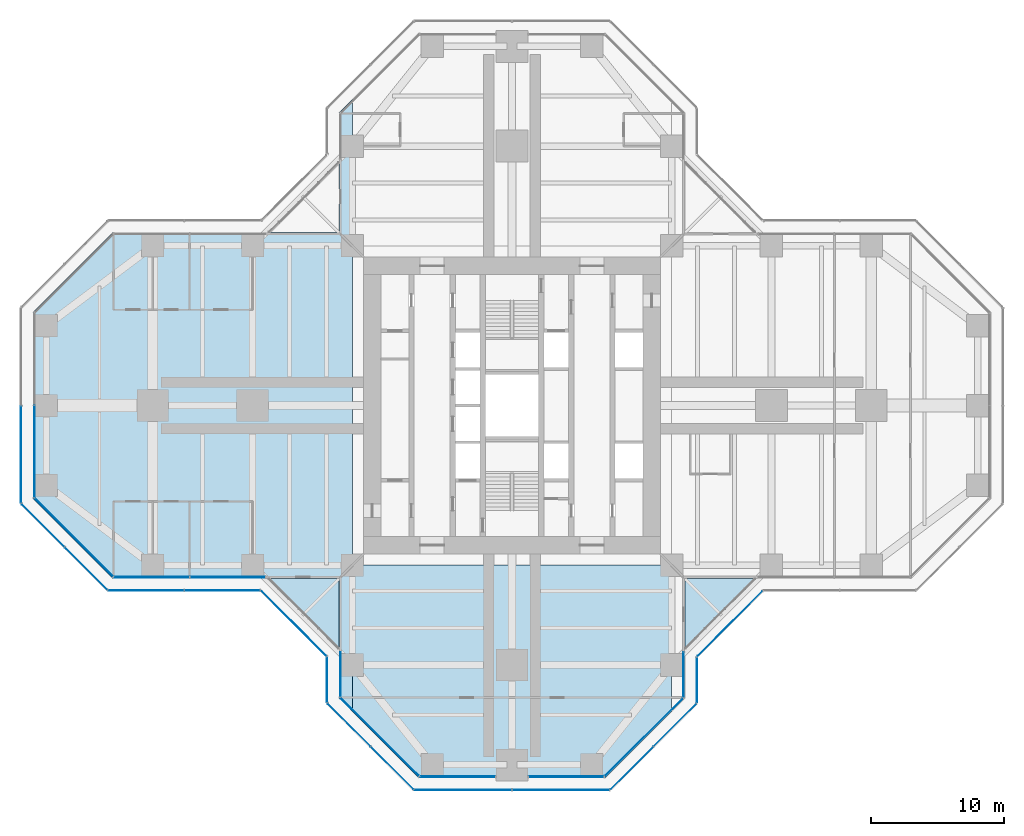
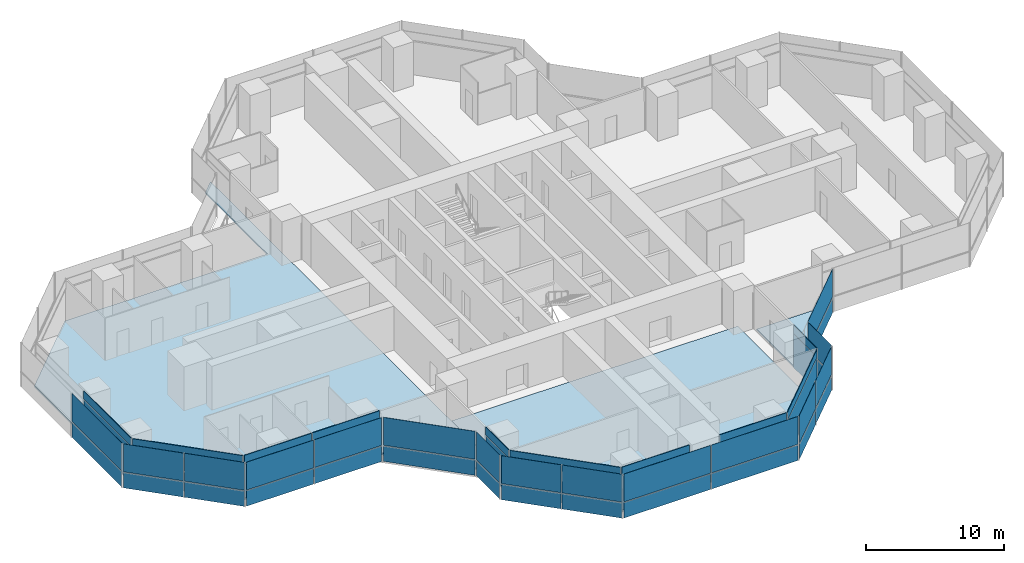
# One storey, part 12 of 20: 50 plates, 4 slabs, 19 elements without a shape of their own.
"""IFC4 building model written with IfcOpenShell, lengths in metres."""

from ifc_helpers import new_model, si_unit, direction, frame, origin, origin_2d, place, context, subcontext, project, spatial, polyline, rectangle, outline, extrude, material, layer, layer_set, type_object, element, aggregate, save


model = new_model("IFC4")

# Units and contexts
model_context = context("Model", 3, precision=1e-05, world=origin(), true_north=direction((0.0, 1.0)))
body_context = subcontext(model_context, "Body", "Model", "MODEL_VIEW")
ifc_project = project(units=[si_unit("LENGTHUNIT", "METRE"), si_unit("AREAUNIT", "SQUARE_METRE"), si_unit("VOLUMEUNIT", "CUBIC_METRE"), si_unit("PLANEANGLEUNIT", "RADIAN"), si_unit("MASSUNIT", "GRAM", prefix="KILO")], contexts=[model_context])

# Site, building, storey
site_placement = place(None, origin())
site = spatial("IfcSite", under=ifc_project, at=site_placement, CompositionType="ELEMENT")
building_placement = place(site_placement, origin())
building = spatial("IfcBuilding", under=site, at=building_placement, Name="Mizan Broadcast Tower", CompositionType="ELEMENT")
storey_placement = place(building_placement, frame((0.0, 0.0, 174.89990234375)))
storey = spatial("IfcBuildingStorey", under=building, at=storey_placement, Name="L40", CompositionType="ELEMENT", Elevation=174.89990234375)

# Slabs
ifc_material_1 = material(Name="Concrete C32/40", Category="concrete")
ifc_layer_1 = layer(ifc_material_1, 0.1298828125)
ifc_layer_set_1 = layer_set([ifc_layer_1], Name="Concrete C32/40")
slab_type_1 = type_object("IfcSlabType", Name="COMPOSITE DECK SLAB 130", PredefinedType="FLOOR", material=ifc_layer_set_1)
slab_1_placement = place(storey_placement, frame((0.0, 0.0, -0.1298828125)))
element("IfcSlab", 1, at=slab_1_placement, inside=storey, type_object=slab_type_1, Name="Floor slab L40 west arm", PredefinedType="FLOOR", context=body_context, shape_type="SweptSolid", body=[
    extrude(outline(polyline([(-13.0, -22.0), (-12.0, -23.0), (-12.0, 23.0), (-13.0, 22.0), (-13.0, 13.0), (-30.0, 13.0), (-36.0, 7.0), (-36.0, -7.0), (-30.0, -13.0), (-13.0, -13.0), (-13.0, -22.0)])), origin(), (0.0, 0.0, 1.0), 0.1298828125),
])
slab_2_placement = place(storey_placement, frame((0.0, 0.0, -0.1298828125)))
element("IfcSlab", 2, at=slab_2_placement, inside=storey, type_object=slab_type_1, Name="Floor slab L40 south arm", PredefinedType="FLOOR", context=body_context, shape_type="SweptSolid", body=[
    extrude(outline(polyline([(7.0, -28.0), (12.0, -23.0), (12.0, -12.0), (-12.0, -12.0), (-12.0, -23.0), (-7.0, -28.0), (7.0, -28.0)])), origin(), (0.0, 0.0, 1.0), 0.1298828125),
])

# Curtain wall, plate
ifc_material_2 = material(Name="Aluminium framed glazing", Category="aluminium")
curtain_wall_type_1 = type_object("IfcCurtainWallType", Name="INNER SKIN MID ZONE", PredefinedType="USERDEFINED", material=ifc_material_2)
curtain_wall_1_placement = place(storey_placement, origin())
curtain_wall_1 = element("IfcCurtainWall", 3, at=curtain_wall_1_placement, inside=storey, type_object=curtain_wall_type_1, Name="Inner skin mid zone L40 W end", ObjectType="INNER SKIN MID ZONE", PredefinedType="USERDEFINED")
ifc_material_3 = material(Name="Double glazing, clear low-e", Category="glass")
ifc_layer_2 = layer(ifc_material_3, 0.028076171875)
ifc_layer_set_2 = layer_set([ifc_layer_2], Name="Double glazing, clear low-e")
plate_type_1 = type_object("IfcPlateType", Name="INNER SKIN GLAZING UNIT", PredefinedType="CURTAIN_PANEL", material=ifc_layer_set_2)
plate_1_placement = place(storey_placement, frame((-35.89990234375, -3.46435546875, 0.0), z_axis=(0.0, 0.0, 1.0), x_axis=(0.0, -1.0, 0.0)))
plate_1 = element("IfcPlate", 4, at=plate_1_placement, type_object=plate_type_1, Name="Inner skin mid zone L40 W end panel 2.1", PredefinedType="CURTAIN_PANEL", context=body_context, shape_type="SweptSolid", body=[
    extrude(rectangle(XDim=6.86865234375, YDim=0.028076171875, at=origin_2d()), origin(), (0.0, 0.0, 1.0), 3.0),
])

curtain_wall_2_placement = place(storey_placement, origin())
curtain_wall_2 = element("IfcCurtainWall", 5, at=curtain_wall_2_placement, inside=storey, type_object=curtain_wall_type_1, Name="Inner skin mid zone L40 W chamfer", ObjectType="INNER SKIN MID ZONE", PredefinedType="USERDEFINED")
plate_2_placement = place(storey_placement, frame((-32.92919921875, -9.92919921875, 0.0), z_axis=(0.0, 0.0, 1.0), x_axis=(0.707106781187, -0.707106781187, 0.0)))
plate_2 = element("IfcPlate", 6, at=plate_2_placement, type_object=plate_type_1, Name="Inner skin mid zone L40 W chamfer panel 1.1", PredefinedType="CURTAIN_PANEL", context=body_context, shape_type="SweptSolid", body=[
    extrude(rectangle(XDim=8.282470703125, YDim=0.028076171875, at=origin_2d()), origin(), (0.0, 0.0, 1.0), 3.0),
])

# Curtain wall, plates
curtain_wall_3_placement = place(storey_placement, origin())
curtain_wall_3 = element("IfcCurtainWall", 7, at=curtain_wall_3_placement, inside=storey, type_object=curtain_wall_type_1, Name="Inner skin mid zone L40 W side", ObjectType="INNER SKIN MID ZONE", PredefinedType="USERDEFINED")
plate_3_placement = place(storey_placement, frame((-27.078857421875, -12.89990234375, 0.0), z_axis=(0.0, 0.0, 1.0), x_axis=(1.0, 0.0, 0.0)))
plate_3 = element("IfcPlate", 8, at=plate_3_placement, type_object=plate_type_1, Name="Inner skin mid zone L40 W side panel 1.1", PredefinedType="CURTAIN_PANEL", context=body_context, shape_type="SweptSolid", body=[
    extrude(rectangle(XDim=5.639404296875, YDim=0.028076171875, at=origin_2d()), origin(), (0.0, 0.0, 1.0), 3.0),
])
plate_4_placement = place(storey_placement, frame((-21.379638671875, -12.89990234375, 0.0), z_axis=(0.0, 0.0, 1.0), x_axis=(1.0, 0.0, 0.0)))
plate_4 = element("IfcPlate", 9, at=plate_4_placement, type_object=plate_type_1, Name="Inner skin mid zone L40 W side panel 2.1", PredefinedType="CURTAIN_PANEL", context=body_context, shape_type="SweptSolid", body=[
    extrude(rectangle(XDim=5.639404296875, YDim=0.028076171875, at=origin_2d()), origin(), (0.0, 0.0, 1.0), 3.0),
])

# Curtain wall, plate
curtain_wall_4_placement = place(storey_placement, origin())
curtain_wall_4 = element("IfcCurtainWall", 10, at=curtain_wall_4_placement, inside=storey, type_object=curtain_wall_type_1, Name="Inner skin mid zone L40 S side", ObjectType="INNER SKIN MID ZONE", PredefinedType="USERDEFINED")
plate_5_placement = place(storey_placement, frame((-12.89990234375, -20.229248046875, 0.0), z_axis=(0.0, 0.0, 1.0), x_axis=(0.0, -1.0, 0.0)))
plate_5 = element("IfcPlate", 11, at=plate_5_placement, type_object=plate_type_1, Name="Inner skin mid zone L40 S side panel 1.1", PredefinedType="CURTAIN_PANEL", context=body_context, shape_type="SweptSolid", body=[
    extrude(rectangle(XDim=3.338623046875, YDim=0.028076171875, at=origin_2d()), origin(), (0.0, 0.0, 1.0), 3.0),
])

curtain_wall_5_placement = place(storey_placement, origin())
curtain_wall_5 = element("IfcCurtainWall", 12, at=curtain_wall_5_placement, inside=storey, type_object=curtain_wall_type_1, Name="Inner skin mid zone L40 S chamfer", ObjectType="INNER SKIN MID ZONE", PredefinedType="USERDEFINED")
plate_6_placement = place(storey_placement, frame((-9.92919921875, -24.92919921875, 0.0), z_axis=(0.0, 0.0, 1.0), x_axis=(0.707106781187, -0.707106781187, 0.0)))
plate_6 = element("IfcPlate", 13, at=plate_6_placement, type_object=plate_type_1, Name="Inner skin mid zone L40 S chamfer panel 1.1", PredefinedType="CURTAIN_PANEL", context=body_context, shape_type="SweptSolid", body=[
    extrude(rectangle(XDim=8.282470703125, YDim=0.028076171875, at=origin_2d()), origin(), (0.0, 0.0, 1.0), 3.0),
])

curtain_wall_6_placement = place(storey_placement, origin())
curtain_wall_6 = element("IfcCurtainWall", 14, at=curtain_wall_6_placement, inside=storey, type_object=curtain_wall_type_1, Name="Inner skin mid zone L40 S end", ObjectType="INNER SKIN MID ZONE", PredefinedType="USERDEFINED")
plate_7_placement = place(storey_placement, frame((-4.079345703125, -27.89990234375, 0.0), z_axis=(0.0, 0.0, 1.0), x_axis=(1.0, 0.0, 0.0)))
plate_7 = element("IfcPlate", 15, at=plate_7_placement, type_object=plate_type_1, Name="Inner skin mid zone L40 S end panel 1.1", PredefinedType="CURTAIN_PANEL", context=body_context, shape_type="SweptSolid", body=[
    extrude(rectangle(XDim=5.638671875, YDim=0.028076171875, at=origin_2d()), origin(), (0.0, 0.0, 1.0), 3.0),
])

curtain_wall_7_placement = place(storey_placement, origin())
curtain_wall_7 = element("IfcCurtainWall", 16, at=curtain_wall_7_placement, inside=storey, type_object=curtain_wall_type_1, Name="Inner skin mid zone L40 S end", ObjectType="INNER SKIN MID ZONE", PredefinedType="USERDEFINED")
plate_8_placement = place(storey_placement, frame((4.079345703125, -27.89990234375, 0.0), z_axis=(0.0, 0.0, 1.0), x_axis=(1.0, 0.0, 0.0)))
plate_8 = element("IfcPlate", 17, at=plate_8_placement, type_object=plate_type_1, Name="Inner skin mid zone L40 S end panel 1.1", PredefinedType="CURTAIN_PANEL", context=body_context, shape_type="SweptSolid", body=[
    extrude(rectangle(XDim=5.638671875, YDim=0.028076171875, at=origin_2d()), origin(), (0.0, 0.0, 1.0), 3.0),
])

curtain_wall_8_placement = place(storey_placement, origin())
curtain_wall_8 = element("IfcCurtainWall", 18, at=curtain_wall_8_placement, inside=storey, type_object=curtain_wall_type_1, Name="Inner skin mid zone L40 S chamfer", ObjectType="INNER SKIN MID ZONE", PredefinedType="USERDEFINED")
plate_9_placement = place(storey_placement, frame((9.92919921875, -24.92919921875, 0.0), z_axis=(0.0, 0.0, 1.0), x_axis=(0.707106781187, 0.707106781187, 0.0)))
plate_9 = element("IfcPlate", 19, at=plate_9_placement, type_object=plate_type_1, Name="Inner skin mid zone L40 S chamfer panel 1.1", PredefinedType="CURTAIN_PANEL", context=body_context, shape_type="SweptSolid", body=[
    extrude(rectangle(XDim=8.282470703125, YDim=0.028076171875, at=origin_2d()), origin(), (0.0, 0.0, 1.0), 3.0),
])

curtain_wall_9_placement = place(storey_placement, origin())
curtain_wall_9 = element("IfcCurtainWall", 20, at=curtain_wall_9_placement, inside=storey, type_object=curtain_wall_type_1, Name="Inner skin mid zone L40 S side", ObjectType="INNER SKIN MID ZONE", PredefinedType="USERDEFINED")
plate_10_placement = place(storey_placement, frame((12.89990234375, -20.229248046875, 0.0), z_axis=(0.0, 0.0, 1.0), x_axis=(0.0, 1.0, 0.0)))
plate_10 = element("IfcPlate", 21, at=plate_10_placement, type_object=plate_type_1, Name="Inner skin mid zone L40 S side panel 1.1", PredefinedType="CURTAIN_PANEL", context=body_context, shape_type="SweptSolid", body=[
    extrude(rectangle(XDim=3.338623046875, YDim=0.028076171875, at=origin_2d()), origin(), (0.0, 0.0, 1.0), 3.0),
])

# Plate
ifc_material_4 = material(Name="Insulated aluminium spandrel panel, pale anodised", Category="aluminium")
ifc_layer_3 = layer(ifc_material_4, 0.050048828125)
ifc_layer_set_3 = layer_set([ifc_layer_3], Name="Insulated aluminium spandrel panel, pale anodised")
plate_type_2 = type_object("IfcPlateType", Name="INNER SKIN SPANDREL PANEL", PredefinedType="CURTAIN_PANEL", material=ifc_layer_set_3)
plate_11_placement = place(storey_placement, frame((-35.89990234375, -3.46435546875, 3.06005859375), z_axis=(0.0, 0.0, 1.0), x_axis=(0.0, -1.0, 0.0)))
plate_11 = element("IfcPlate", 22, at=plate_11_placement, type_object=plate_type_2, Name="Inner skin mid zone L40 W end panel 2.2", PredefinedType="CURTAIN_PANEL", context=body_context, shape_type="SweptSolid", body=[
    extrude(rectangle(XDim=6.86865234375, YDim=0.050048828125, at=origin_2d()), origin(), (0.0, 0.0, 1.0), 0.7099609375),
])

aggregate(curtain_wall_1, [plate_1, plate_11])

plate_12_placement = place(storey_placement, frame((-32.92919921875, -9.92919921875, 3.06005859375), z_axis=(0.0, 0.0, 1.0), x_axis=(0.707106781187, -0.707106781187, 0.0)))
plate_12 = element("IfcPlate", 23, at=plate_12_placement, type_object=plate_type_2, Name="Inner skin mid zone L40 W chamfer panel 1.2", PredefinedType="CURTAIN_PANEL", context=body_context, shape_type="SweptSolid", body=[
    extrude(rectangle(XDim=8.282470703125, YDim=0.050048828125, at=origin_2d()), origin(), (0.0, 0.0, 1.0), 0.7099609375),
])

aggregate(curtain_wall_2, [plate_2, plate_12])

plate_13_placement = place(storey_placement, frame((-27.078857421875, -12.89990234375, 3.06005859375), z_axis=(0.0, 0.0, 1.0), x_axis=(1.0, 0.0, 0.0)))
plate_13 = element("IfcPlate", 24, at=plate_13_placement, type_object=plate_type_2, Name="Inner skin mid zone L40 W side panel 1.2", PredefinedType="CURTAIN_PANEL", context=body_context, shape_type="SweptSolid", body=[
    extrude(rectangle(XDim=5.639404296875, YDim=0.050048828125, at=origin_2d()), origin(), (0.0, 0.0, 1.0), 0.7099609375),
])

plate_14_placement = place(storey_placement, frame((-21.379638671875, -12.89990234375, 3.06005859375), z_axis=(0.0, 0.0, 1.0), x_axis=(1.0, 0.0, 0.0)))
plate_14 = element("IfcPlate", 25, at=plate_14_placement, type_object=plate_type_2, Name="Inner skin mid zone L40 W side panel 2.2", PredefinedType="CURTAIN_PANEL", context=body_context, shape_type="SweptSolid", body=[
    extrude(rectangle(XDim=5.639404296875, YDim=0.050048828125, at=origin_2d()), origin(), (0.0, 0.0, 1.0), 0.7099609375),
])

aggregate(curtain_wall_3, [plate_3, plate_13, plate_4, plate_14])

plate_15_placement = place(storey_placement, frame((-12.89990234375, -20.229248046875, 3.06005859375), z_axis=(0.0, 0.0, 1.0), x_axis=(0.0, -1.0, 0.0)))
plate_15 = element("IfcPlate", 26, at=plate_15_placement, type_object=plate_type_2, Name="Inner skin mid zone L40 S side panel 1.2", PredefinedType="CURTAIN_PANEL", context=body_context, shape_type="SweptSolid", body=[
    extrude(rectangle(XDim=3.338623046875, YDim=0.050048828125, at=origin_2d()), origin(), (0.0, 0.0, 1.0), 0.7099609375),
])

aggregate(curtain_wall_4, [plate_5, plate_15])

plate_16_placement = place(storey_placement, frame((-9.92919921875, -24.92919921875, 3.06005859375), z_axis=(0.0, 0.0, 1.0), x_axis=(0.707106781187, -0.707106781187, 0.0)))
plate_16 = element("IfcPlate", 27, at=plate_16_placement, type_object=plate_type_2, Name="Inner skin mid zone L40 S chamfer panel 1.2", PredefinedType="CURTAIN_PANEL", context=body_context, shape_type="SweptSolid", body=[
    extrude(rectangle(XDim=8.282470703125, YDim=0.050048828125, at=origin_2d()), origin(), (0.0, 0.0, 1.0), 0.7099609375),
])

aggregate(curtain_wall_5, [plate_6, plate_16])

plate_17_placement = place(storey_placement, frame((-4.079345703125, -27.89990234375, 3.06005859375), z_axis=(0.0, 0.0, 1.0), x_axis=(1.0, 0.0, 0.0)))
plate_17 = element("IfcPlate", 28, at=plate_17_placement, type_object=plate_type_2, Name="Inner skin mid zone L40 S end panel 1.2", PredefinedType="CURTAIN_PANEL", context=body_context, shape_type="SweptSolid", body=[
    extrude(rectangle(XDim=5.638671875, YDim=0.050048828125, at=origin_2d()), origin(), (0.0, 0.0, 1.0), 0.7099609375),
])

aggregate(curtain_wall_6, [plate_7, plate_17])

plate_18_placement = place(storey_placement, frame((4.079345703125, -27.89990234375, 3.06005859375), z_axis=(0.0, 0.0, 1.0), x_axis=(1.0, 0.0, 0.0)))
plate_18 = element("IfcPlate", 29, at=plate_18_placement, type_object=plate_type_2, Name="Inner skin mid zone L40 S end panel 1.2", PredefinedType="CURTAIN_PANEL", context=body_context, shape_type="SweptSolid", body=[
    extrude(rectangle(XDim=5.638671875, YDim=0.050048828125, at=origin_2d()), origin(), (0.0, 0.0, 1.0), 0.7099609375),
])

aggregate(curtain_wall_7, [plate_8, plate_18])

plate_19_placement = place(storey_placement, frame((9.92919921875, -24.92919921875, 3.06005859375), z_axis=(0.0, 0.0, 1.0), x_axis=(0.707106781187, 0.707106781187, 0.0)))
plate_19 = element("IfcPlate", 30, at=plate_19_placement, type_object=plate_type_2, Name="Inner skin mid zone L40 S chamfer panel 1.2", PredefinedType="CURTAIN_PANEL", context=body_context, shape_type="SweptSolid", body=[
    extrude(rectangle(XDim=8.282470703125, YDim=0.050048828125, at=origin_2d()), origin(), (0.0, 0.0, 1.0), 0.7099609375),
])

aggregate(curtain_wall_8, [plate_9, plate_19])

plate_20_placement = place(storey_placement, frame((12.89990234375, -20.229248046875, 3.06005859375), z_axis=(0.0, 0.0, 1.0), x_axis=(0.0, 1.0, 0.0)))
plate_20 = element("IfcPlate", 31, at=plate_20_placement, type_object=plate_type_2, Name="Inner skin mid zone L40 S side panel 1.2", PredefinedType="CURTAIN_PANEL", context=body_context, shape_type="SweptSolid", body=[
    extrude(rectangle(XDim=3.338623046875, YDim=0.050048828125, at=origin_2d()), origin(), (0.0, 0.0, 1.0), 0.7099609375),
])

aggregate(curtain_wall_9, [plate_10, plate_20])

# Curtain wall, plates
ifc_material_5 = material(Name="Aluminium framed glazing", Category="aluminium")
curtain_wall_type_2 = type_object("IfcCurtainWallType", Name="OUTER SKIN", PredefinedType="USERDEFINED", material=ifc_material_5)
curtain_wall_10_placement = place(storey_placement, origin())
curtain_wall_10 = element("IfcCurtainWall", 32, at=curtain_wall_10_placement, inside=storey, type_object=curtain_wall_type_2, Name="Outer skin L40 W chamfer", ObjectType="OUTER SKIN", PredefinedType="USERDEFINED")
ifc_material_6 = material(Name="Laminated clear glass", Category="glass")
ifc_layer_4 = layer(ifc_material_6, 0.02001953125)
ifc_layer_set_4 = layer_set([ifc_layer_4], Name="Laminated clear glass")
plate_type_3 = type_object("IfcPlateType", Name="OUTER SKIN CLEAR GLASS", PredefinedType="CURTAIN_PANEL", material=ifc_layer_set_4)
plate_21_placement = place(storey_placement, frame((-35.254150390625, -9.018798828125, 0.0), z_axis=(0.0, 0.0, 1.0), x_axis=(0.707106781187, -0.707106781187, 0.0)))
plate_21 = element("IfcPlate", 33, at=plate_21_placement, type_object=plate_type_3, Name="Outer skin L40 W chamfer panel 1.1", PredefinedType="CURTAIN_PANEL", context=body_context, shape_type="SweptSolid", body=[
    extrude(rectangle(XDim=4.495361328125, YDim=0.02001953125, at=origin_2d()), origin(), (0.0, 0.0, 1.0), 1.3701171875),
])
plate_22_placement = place(storey_placement, frame((-35.254150390625, -9.018798828125, 1.43017578125), z_axis=(0.0, 0.0, 1.0), x_axis=(0.707106781187, -0.707106781187, 0.0)))
plate_22 = element("IfcPlate", 34, at=plate_22_placement, type_object=plate_type_3, Name="Outer skin L40 W chamfer panel 1.2", PredefinedType="CURTAIN_PANEL", context=body_context, shape_type="SweptSolid", body=[
    extrude(rectangle(XDim=4.495361328125, YDim=0.02001953125, at=origin_2d()), origin(), (0.0, 0.0, 1.0), 2.469970703125),
])

curtain_wall_11_placement = place(storey_placement, origin())
curtain_wall_11 = element("IfcCurtainWall", 35, at=curtain_wall_11_placement, inside=storey, type_object=curtain_wall_type_2, Name="Outer skin L40 W side", ObjectType="OUTER SKIN", PredefinedType="USERDEFINED")
plate_23_placement = place(storey_placement, frame((-27.477783203125, -13.89990234375, 0.0), z_axis=(0.0, 0.0, 1.0), x_axis=(1.0, 0.0, 0.0)))
plate_23 = element("IfcPlate", 36, at=plate_23_placement, type_object=plate_type_3, Name="Outer skin L40 W side panel 1.1", PredefinedType="CURTAIN_PANEL", context=body_context, shape_type="SweptSolid", body=[
    extrude(rectangle(XDim=5.6298828125, YDim=0.02001953125, at=origin_2d()), origin(), (0.0, 0.0, 1.0), 1.3701171875),
])
plate_24_placement = place(storey_placement, frame((-27.477783203125, -13.89990234375, 1.43017578125), z_axis=(0.0, 0.0, 1.0), x_axis=(1.0, 0.0, 0.0)))
plate_24 = element("IfcPlate", 37, at=plate_24_placement, type_object=plate_type_3, Name="Outer skin L40 W side panel 1.2", PredefinedType="CURTAIN_PANEL", context=body_context, shape_type="SweptSolid", body=[
    extrude(rectangle(XDim=5.6298828125, YDim=0.02001953125, at=origin_2d()), origin(), (0.0, 0.0, 1.0), 2.469970703125),
])

curtain_wall_12_placement = place(storey_placement, origin())
curtain_wall_12 = element("IfcCurtainWall", 38, at=curtain_wall_12_placement, inside=storey, type_object=curtain_wall_type_2, Name="Outer skin L40 W chamfer", ObjectType="OUTER SKIN", PredefinedType="USERDEFINED")
plate_25_placement = place(storey_placement, frame((-16.386474609375, -16.386474609375, 0.0), z_axis=(0.0, 0.0, 1.0), x_axis=(0.707106781187, -0.707106781187, 0.0)))
plate_25 = element("IfcPlate", 39, at=plate_25_placement, type_object=plate_type_3, Name="Outer skin L40 W chamfer panel 1.1", PredefinedType="CURTAIN_PANEL", context=body_context, shape_type="SweptSolid", body=[
    extrude(rectangle(XDim=6.87255859375, YDim=0.02001953125, at=origin_2d()), origin(), (0.0, 0.0, 1.0), 1.3701171875),
])
plate_26_placement = place(storey_placement, frame((-16.386474609375, -16.386474609375, 1.43017578125), z_axis=(0.0, 0.0, 1.0), x_axis=(0.707106781187, -0.707106781187, 0.0)))
plate_26 = element("IfcPlate", 40, at=plate_26_placement, type_object=plate_type_3, Name="Outer skin L40 W chamfer panel 1.2", PredefinedType="CURTAIN_PANEL", context=body_context, shape_type="SweptSolid", body=[
    extrude(rectangle(XDim=6.87255859375, YDim=0.02001953125, at=origin_2d()), origin(), (0.0, 0.0, 1.0), 2.469970703125),
])
aggregate(curtain_wall_12, [plate_25, plate_26])

curtain_wall_13_placement = place(storey_placement, origin())
curtain_wall_13 = element("IfcCurtainWall", 41, at=curtain_wall_13_placement, inside=storey, type_object=curtain_wall_type_2, Name="Outer skin L40 S side", ObjectType="OUTER SKIN", PredefinedType="USERDEFINED")
plate_27_placement = place(storey_placement, frame((-13.89990234375, -20.622802734375, 0.0), z_axis=(0.0, 0.0, 1.0), x_axis=(0.0, -1.0, 0.0)))
plate_27 = element("IfcPlate", 42, at=plate_27_placement, type_object=plate_type_3, Name="Outer skin L40 S side panel 1.1", PredefinedType="CURTAIN_PANEL", context=body_context, shape_type="SweptSolid", body=[
    extrude(rectangle(XDim=3.340087890625, YDim=0.02001953125, at=origin_2d()), origin(), (0.0, 0.0, 1.0), 1.3701171875),
])
plate_28_placement = place(storey_placement, frame((-13.89990234375, -20.622802734375, 1.43017578125), z_axis=(0.0, 0.0, 1.0), x_axis=(0.0, -1.0, 0.0)))
plate_28 = element("IfcPlate", 43, at=plate_28_placement, type_object=plate_type_3, Name="Outer skin L40 S side panel 1.2", PredefinedType="CURTAIN_PANEL", context=body_context, shape_type="SweptSolid", body=[
    extrude(rectangle(XDim=3.340087890625, YDim=0.02001953125, at=origin_2d()), origin(), (0.0, 0.0, 1.0), 2.469970703125),
])
aggregate(curtain_wall_13, [plate_27, plate_28])

curtain_wall_14_placement = place(storey_placement, origin())
curtain_wall_14 = element("IfcCurtainWall", 44, at=curtain_wall_14_placement, inside=storey, type_object=curtain_wall_type_2, Name="Outer skin L40 S chamfer", ObjectType="OUTER SKIN", PredefinedType="USERDEFINED")
plate_29_placement = place(storey_placement, frame((-12.254150390625, -24.018798828125, 0.0), z_axis=(0.0, 0.0, 1.0), x_axis=(0.707106781187, -0.707106781187, 0.0)))
plate_29 = element("IfcPlate", 45, at=plate_29_placement, type_object=plate_type_3, Name="Outer skin L40 S chamfer panel 1.1", PredefinedType="CURTAIN_PANEL", context=body_context, shape_type="SweptSolid", body=[
    extrude(rectangle(XDim=4.495361328125, YDim=0.02001953125, at=origin_2d()), origin(), (0.0, 0.0, 1.0), 1.3701171875),
])
plate_30_placement = place(storey_placement, frame((-12.254150390625, -24.018798828125, 1.43017578125), z_axis=(0.0, 0.0, 1.0), x_axis=(0.707106781187, -0.707106781187, 0.0)))
plate_30 = element("IfcPlate", 46, at=plate_30_placement, type_object=plate_type_3, Name="Outer skin L40 S chamfer panel 1.2", PredefinedType="CURTAIN_PANEL", context=body_context, shape_type="SweptSolid", body=[
    extrude(rectangle(XDim=4.495361328125, YDim=0.02001953125, at=origin_2d()), origin(), (0.0, 0.0, 1.0), 2.469970703125),
])

curtain_wall_15_placement = place(storey_placement, origin())
curtain_wall_15 = element("IfcCurtainWall", 47, at=curtain_wall_15_placement, inside=storey, type_object=curtain_wall_type_2, Name="Outer skin L40 S end", ObjectType="OUTER SKIN", PredefinedType="USERDEFINED")
plate_31_placement = place(storey_placement, frame((-3.66650390625, -28.89990234375, 0.0), z_axis=(0.0, 0.0, 1.0), x_axis=(1.0, 0.0, 0.0)))
plate_31 = element("IfcPlate", 48, at=plate_31_placement, type_object=plate_type_3, Name="Outer skin L40 S end panel 1.1", PredefinedType="CURTAIN_PANEL", context=body_context, shape_type="SweptSolid", body=[
    extrude(rectangle(XDim=7.252685546875, YDim=0.02001953125, at=origin_2d()), origin(), (0.0, 0.0, 1.0), 1.3701171875),
])
plate_32_placement = place(storey_placement, frame((-3.66650390625, -28.89990234375, 1.43017578125), z_axis=(0.0, 0.0, 1.0), x_axis=(1.0, 0.0, 0.0)))
plate_32 = element("IfcPlate", 49, at=plate_32_placement, type_object=plate_type_3, Name="Outer skin L40 S end panel 1.2", PredefinedType="CURTAIN_PANEL", context=body_context, shape_type="SweptSolid", body=[
    extrude(rectangle(XDim=7.252685546875, YDim=0.02001953125, at=origin_2d()), origin(), (0.0, 0.0, 1.0), 2.469970703125),
])

curtain_wall_16_placement = place(storey_placement, origin())
curtain_wall_16 = element("IfcCurtainWall", 50, at=curtain_wall_16_placement, inside=storey, type_object=curtain_wall_type_2, Name="Outer skin L40 S chamfer", ObjectType="OUTER SKIN", PredefinedType="USERDEFINED")
plate_33_placement = place(storey_placement, frame((9.018798828125, -27.254150390625, 0.0), z_axis=(0.0, 0.0, 1.0), x_axis=(0.707106781187, 0.707106781187, 0.0)))
plate_33 = element("IfcPlate", 51, at=plate_33_placement, type_object=plate_type_3, Name="Outer skin L40 S chamfer panel 1.1", PredefinedType="CURTAIN_PANEL", context=body_context, shape_type="SweptSolid", body=[
    extrude(rectangle(XDim=4.495361328125, YDim=0.02001953125, at=origin_2d()), origin(), (0.0, 0.0, 1.0), 1.3701171875),
])
plate_34_placement = place(storey_placement, frame((9.018798828125, -27.254150390625, 1.43017578125), z_axis=(0.0, 0.0, 1.0), x_axis=(0.707106781187, 0.707106781187, 0.0)))
plate_34 = element("IfcPlate", 52, at=plate_34_placement, type_object=plate_type_3, Name="Outer skin L40 S chamfer panel 1.2", PredefinedType="CURTAIN_PANEL", context=body_context, shape_type="SweptSolid", body=[
    extrude(rectangle(XDim=4.495361328125, YDim=0.02001953125, at=origin_2d()), origin(), (0.0, 0.0, 1.0), 2.469970703125),
])

curtain_wall_17_placement = place(storey_placement, origin())
curtain_wall_17 = element("IfcCurtainWall", 53, at=curtain_wall_17_placement, inside=storey, type_object=curtain_wall_type_2, Name="Outer skin L40 S side", ObjectType="OUTER SKIN", PredefinedType="USERDEFINED")
plate_35_placement = place(storey_placement, frame((13.89990234375, -20.622802734375, 0.0), z_axis=(0.0, 0.0, 1.0), x_axis=(0.0, 1.0, 0.0)))
plate_35 = element("IfcPlate", 54, at=plate_35_placement, type_object=plate_type_3, Name="Outer skin L40 S side panel 1.1", PredefinedType="CURTAIN_PANEL", context=body_context, shape_type="SweptSolid", body=[
    extrude(rectangle(XDim=3.340087890625, YDim=0.02001953125, at=origin_2d()), origin(), (0.0, 0.0, 1.0), 1.3701171875),
])
plate_36_placement = place(storey_placement, frame((13.89990234375, -20.622802734375, 1.43017578125), z_axis=(0.0, 0.0, 1.0), x_axis=(0.0, 1.0, 0.0)))
plate_36 = element("IfcPlate", 55, at=plate_36_placement, type_object=plate_type_3, Name="Outer skin L40 S side panel 1.2", PredefinedType="CURTAIN_PANEL", context=body_context, shape_type="SweptSolid", body=[
    extrude(rectangle(XDim=3.340087890625, YDim=0.02001953125, at=origin_2d()), origin(), (0.0, 0.0, 1.0), 2.469970703125),
])
aggregate(curtain_wall_17, [plate_35, plate_36])

curtain_wall_18_placement = place(storey_placement, origin())
curtain_wall_18 = element("IfcCurtainWall", 56, at=curtain_wall_18_placement, inside=storey, type_object=curtain_wall_type_2, Name="Outer skin L40 E chamfer", ObjectType="OUTER SKIN", PredefinedType="USERDEFINED")
plate_37_placement = place(storey_placement, frame((16.386474609375, -16.386474609375, 0.0), z_axis=(0.0, 0.0, 1.0), x_axis=(0.707106781187, 0.707106781187, 0.0)))
plate_37 = element("IfcPlate", 57, at=plate_37_placement, type_object=plate_type_3, Name="Outer skin L40 E chamfer panel 1.1", PredefinedType="CURTAIN_PANEL", context=body_context, shape_type="SweptSolid", body=[
    extrude(rectangle(XDim=6.87255859375, YDim=0.02001953125, at=origin_2d()), origin(), (0.0, 0.0, 1.0), 1.3701171875),
])
plate_38_placement = place(storey_placement, frame((16.386474609375, -16.386474609375, 1.43017578125), z_axis=(0.0, 0.0, 1.0), x_axis=(0.707106781187, 0.707106781187, 0.0)))
plate_38 = element("IfcPlate", 58, at=plate_38_placement, type_object=plate_type_3, Name="Outer skin L40 E chamfer panel 1.2", PredefinedType="CURTAIN_PANEL", context=body_context, shape_type="SweptSolid", body=[
    extrude(rectangle(XDim=6.87255859375, YDim=0.02001953125, at=origin_2d()), origin(), (0.0, 0.0, 1.0), 2.469970703125),
])
aggregate(curtain_wall_18, [plate_37, plate_38])

curtain_wall_19_placement = place(storey_placement, origin())
curtain_wall_19 = element("IfcCurtainWall", 59, at=curtain_wall_19_placement, inside=storey, type_object=curtain_wall_type_2, Name="Outer skin L40 W end", ObjectType="OUTER SKIN", PredefinedType="USERDEFINED")
ifc_material_7 = material(Name="Perforated aluminium, pale anodised", Category="aluminium")
ifc_layer_5 = layer(ifc_material_7, 0.011962890625)
ifc_layer_set_5 = layer_set([ifc_layer_5], Name="Perforated aluminium, pale anodised")
plate_type_4 = type_object("IfcPlateType", Name="OUTER SKIN PERFORATED SCREEN", PredefinedType="USERDEFINED", material=ifc_layer_set_5)
plate_39_placement = place(storey_placement, frame((-36.89990234375, -3.66650390625, 0.0), z_axis=(0.0, 0.0, 1.0), x_axis=(0.0, -1.0, 0.0)))
plate_39 = element("IfcPlate", 60, at=plate_39_placement, type_object=plate_type_4, Name="Outer skin L40 W end panel 2.1", ObjectType="SCREEN", PredefinedType="USERDEFINED", context=body_context, shape_type="SweptSolid", body=[
    extrude(rectangle(XDim=7.252685546875, YDim=0.011962890625, at=origin_2d()), origin(), (0.0, 0.0, 1.0), 1.3701171875),
])
plate_40_placement = place(storey_placement, frame((-36.89990234375, -3.66650390625, 1.43017578125), z_axis=(0.0, 0.0, 1.0), x_axis=(0.0, -1.0, 0.0)))
plate_40 = element("IfcPlate", 61, at=plate_40_placement, type_object=plate_type_4, Name="Outer skin L40 W end panel 2.2", ObjectType="SCREEN", PredefinedType="USERDEFINED", context=body_context, shape_type="SweptSolid", body=[
    extrude(rectangle(XDim=7.252685546875, YDim=0.011962890625, at=origin_2d()), origin(), (0.0, 0.0, 1.0), 2.469970703125),
])
aggregate(curtain_wall_19, [plate_39, plate_40])

# Plate
plate_41_placement = place(storey_placement, frame((-32.018798828125, -12.254150390625, 0.0), z_axis=(0.0, 0.0, 1.0), x_axis=(0.707106781187, -0.707106781187, 0.0)))
plate_41 = element("IfcPlate", 62, at=plate_41_placement, type_object=plate_type_4, Name="Outer skin L40 W chamfer panel 2.1", ObjectType="SCREEN", PredefinedType="USERDEFINED", context=body_context, shape_type="SweptSolid", body=[
    extrude(rectangle(XDim=4.495361328125, YDim=0.011962890625, at=origin_2d()), origin(), (0.0, 0.0, 1.0), 1.3701171875),
])

plate_42_placement = place(storey_placement, frame((-32.018798828125, -12.254150390625, 1.43017578125), z_axis=(0.0, 0.0, 1.0), x_axis=(0.707106781187, -0.707106781187, 0.0)))
plate_42 = element("IfcPlate", 63, at=plate_42_placement, type_object=plate_type_4, Name="Outer skin L40 W chamfer panel 2.2", ObjectType="SCREEN", PredefinedType="USERDEFINED", context=body_context, shape_type="SweptSolid", body=[
    extrude(rectangle(XDim=4.495361328125, YDim=0.011962890625, at=origin_2d()), origin(), (0.0, 0.0, 1.0), 2.469970703125),
])

aggregate(curtain_wall_10, [plate_21, plate_22, plate_41, plate_42])

plate_43_placement = place(storey_placement, frame((-21.767822265625, -13.89990234375, 0.0), z_axis=(0.0, 0.0, 1.0), x_axis=(1.0, 0.0, 0.0)))
plate_43 = element("IfcPlate", 64, at=plate_43_placement, type_object=plate_type_4, Name="Outer skin L40 W side panel 2.1", ObjectType="SCREEN", PredefinedType="USERDEFINED", context=body_context, shape_type="SweptSolid", body=[
    extrude(rectangle(XDim=5.6298828125, YDim=0.011962890625, at=origin_2d()), origin(), (0.0, 0.0, 1.0), 1.3701171875),
])

plate_44_placement = place(storey_placement, frame((-21.767822265625, -13.89990234375, 1.43017578125), z_axis=(0.0, 0.0, 1.0), x_axis=(1.0, 0.0, 0.0)))
plate_44 = element("IfcPlate", 65, at=plate_44_placement, type_object=plate_type_4, Name="Outer skin L40 W side panel 2.2", ObjectType="SCREEN", PredefinedType="USERDEFINED", context=body_context, shape_type="SweptSolid", body=[
    extrude(rectangle(XDim=5.6298828125, YDim=0.011962890625, at=origin_2d()), origin(), (0.0, 0.0, 1.0), 2.469970703125),
])

aggregate(curtain_wall_11, [plate_23, plate_24, plate_43, plate_44])

plate_45_placement = place(storey_placement, frame((-9.018798828125, -27.254150390625, 0.0), z_axis=(0.0, 0.0, 1.0), x_axis=(0.707106781187, -0.707106781187, 0.0)))
plate_45 = element("IfcPlate", 66, at=plate_45_placement, type_object=plate_type_4, Name="Outer skin L40 S chamfer panel 2.1", ObjectType="SCREEN", PredefinedType="USERDEFINED", context=body_context, shape_type="SweptSolid", body=[
    extrude(rectangle(XDim=4.495361328125, YDim=0.011962890625, at=origin_2d()), origin(), (0.0, 0.0, 1.0), 1.3701171875),
])

plate_46_placement = place(storey_placement, frame((-9.018798828125, -27.254150390625, 1.43017578125), z_axis=(0.0, 0.0, 1.0), x_axis=(0.707106781187, -0.707106781187, 0.0)))
plate_46 = element("IfcPlate", 67, at=plate_46_placement, type_object=plate_type_4, Name="Outer skin L40 S chamfer panel 2.2", ObjectType="SCREEN", PredefinedType="USERDEFINED", context=body_context, shape_type="SweptSolid", body=[
    extrude(rectangle(XDim=4.495361328125, YDim=0.011962890625, at=origin_2d()), origin(), (0.0, 0.0, 1.0), 2.469970703125),
])

aggregate(curtain_wall_14, [plate_29, plate_30, plate_45, plate_46])

plate_47_placement = place(storey_placement, frame((3.66650390625, -28.89990234375, 0.0), z_axis=(0.0, 0.0, 1.0), x_axis=(1.0, 0.0, 0.0)))
plate_47 = element("IfcPlate", 68, at=plate_47_placement, type_object=plate_type_4, Name="Outer skin L40 S end panel 2.1", ObjectType="SCREEN", PredefinedType="USERDEFINED", context=body_context, shape_type="SweptSolid", body=[
    extrude(rectangle(XDim=7.252685546875, YDim=0.011962890625, at=origin_2d()), origin(), (0.0, 0.0, 1.0), 1.3701171875),
])

plate_48_placement = place(storey_placement, frame((3.66650390625, -28.89990234375, 1.43017578125), z_axis=(0.0, 0.0, 1.0), x_axis=(1.0, 0.0, 0.0)))
plate_48 = element("IfcPlate", 69, at=plate_48_placement, type_object=plate_type_4, Name="Outer skin L40 S end panel 2.2", ObjectType="SCREEN", PredefinedType="USERDEFINED", context=body_context, shape_type="SweptSolid", body=[
    extrude(rectangle(XDim=7.252685546875, YDim=0.011962890625, at=origin_2d()), origin(), (0.0, 0.0, 1.0), 2.469970703125),
])

aggregate(curtain_wall_15, [plate_31, plate_32, plate_47, plate_48])

plate_49_placement = place(storey_placement, frame((12.254150390625, -24.018798828125, 0.0), z_axis=(0.0, 0.0, 1.0), x_axis=(0.707106781187, 0.707106781187, 0.0)))
plate_49 = element("IfcPlate", 70, at=plate_49_placement, type_object=plate_type_4, Name="Outer skin L40 S chamfer panel 2.1", ObjectType="SCREEN", PredefinedType="USERDEFINED", context=body_context, shape_type="SweptSolid", body=[
    extrude(rectangle(XDim=4.495361328125, YDim=0.011962890625, at=origin_2d()), origin(), (0.0, 0.0, 1.0), 1.3701171875),
])

plate_50_placement = place(storey_placement, frame((12.254150390625, -24.018798828125, 1.43017578125), z_axis=(0.0, 0.0, 1.0), x_axis=(0.707106781187, 0.707106781187, 0.0)))
plate_50 = element("IfcPlate", 71, at=plate_50_placement, type_object=plate_type_4, Name="Outer skin L40 S chamfer panel 2.2", ObjectType="SCREEN", PredefinedType="USERDEFINED", context=body_context, shape_type="SweptSolid", body=[
    extrude(rectangle(XDim=4.495361328125, YDim=0.011962890625, at=origin_2d()), origin(), (0.0, 0.0, 1.0), 2.469970703125),
])

aggregate(curtain_wall_16, [plate_33, plate_34, plate_49, plate_50])

# Slabs
ifc_material_8 = material(Name="Concrete C32/40", Category="concrete")
ifc_layer_6 = layer(ifc_material_8, 0.1298828125)
ifc_layer_set_6 = layer_set([ifc_layer_6], Name="Concrete C32/40")
slab_type_2 = type_object("IfcSlabType", Name="WINTER GARDEN SLAB 130", PredefinedType="FLOOR", material=ifc_layer_set_6)
slab_3_placement = place(storey_placement, frame((0.0, 0.0, -0.1298828125)))
element("IfcSlab", 72, at=slab_3_placement, inside=storey, type_object=slab_type_2, Name="Winter garden slab L40 W", PredefinedType="FLOOR", context=body_context, shape_type="SweptSolid", body=[
    extrude(outline(polyline([(-13.0, -13.0), (-18.5, -13.0), (-13.0, -18.5), (-13.0, -13.0)])), origin(), (0.0, 0.0, 1.0), 0.1298828125),
])
slab_4_placement = place(storey_placement, frame((0.0, 0.0, -0.1298828125)))
element("IfcSlab", 73, at=slab_4_placement, inside=storey, type_object=slab_type_2, Name="Winter garden slab L40 S", PredefinedType="FLOOR", context=body_context, shape_type="SweptSolid", body=[
    extrude(outline(polyline([(13.0, -13.0), (13.0, -18.5), (18.5, -13.0), (13.0, -13.0)])), origin(), (0.0, 0.0, 1.0), 0.1298828125),
])

save(model, "model.ifc")
